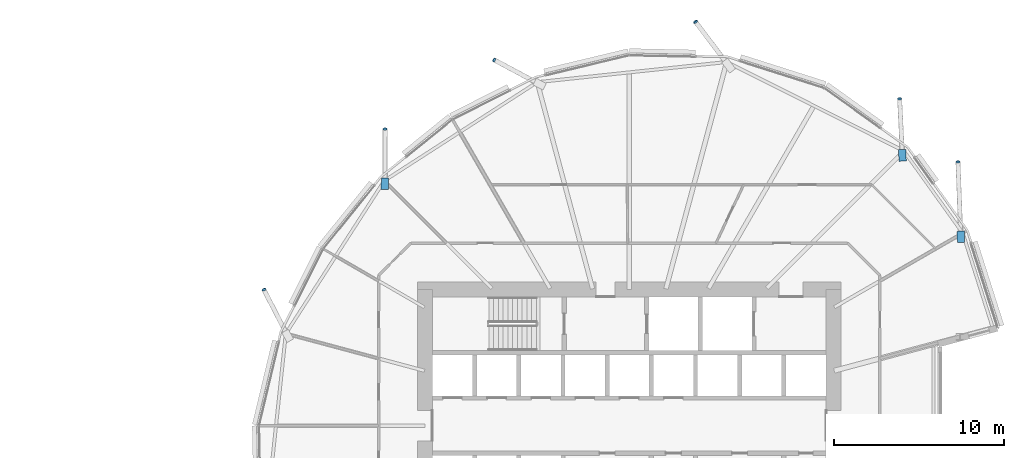
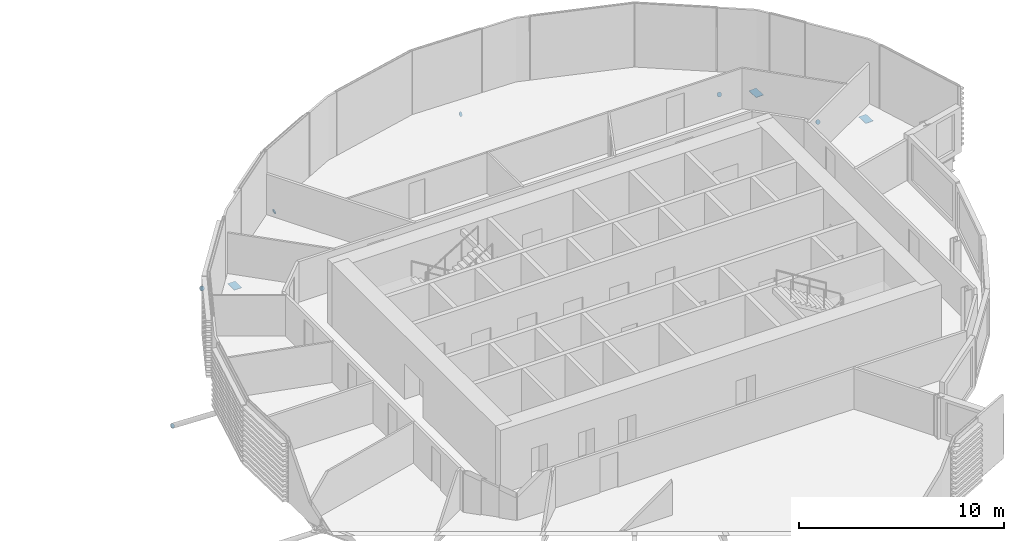
# One storey, part 32 of 37: 9 discrete accessories.
"""IFC4 building model written with IfcOpenShell, lengths in metres."""

from ifc_helpers import new_model, si_unit, direction, frame, origin, origin_2d, place, context, subcontext, project, spatial, polyline, rectangle, circle, outline, extrude, material, material_profile, profile_set, type_object, element, save


model = new_model("IFC4")

# Units and contexts
model_context = context("Model", 3, precision=1e-05, world=origin(), true_north=direction((0.0, 1.0)))
body_context = subcontext(model_context, "Body", "Model", "MODEL_VIEW")
ifc_project = project(units=[si_unit("LENGTHUNIT", "METRE"), si_unit("AREAUNIT", "SQUARE_METRE"), si_unit("VOLUMEUNIT", "CUBIC_METRE"), si_unit("PLANEANGLEUNIT", "RADIAN"), si_unit("MASSUNIT", "GRAM", prefix="KILO")], contexts=[model_context])

# Site, building, storey
site_placement = place(None, origin())
site = spatial("IfcSite", under=ifc_project, at=site_placement, CompositionType="ELEMENT")
building_placement = place(site_placement, origin())
building = spatial("IfcBuilding", under=site, at=building_placement, Name="Rimbun Link Towers", CompositionType="ELEMENT")
storey_placement = place(building_placement, frame((0.0, 0.0, 60.39990234375)))
storey = spatial("IfcBuildingStorey", under=building, at=storey_placement, Name="L14", CompositionType="ELEMENT", Elevation=60.39990234375)

# Discrete accessories
ifc_material_1 = material(Name="Steel S355J2H", Category="steel")
ifc_material_profile_1 = material_profile(ifc_material_1, circle(Radius=0.1240234375, at=origin_2d()), Name="PL D248")
ifc_profile_set_1 = profile_set([ifc_material_profile_1], Name="Steel S355J2H")
discrete_accessory_type_1 = type_object("IfcDiscreteAccessoryType", Name="Link foot sealing plate D248X20", PredefinedType="BRACKET", material=ifc_profile_set_1)
for number, where, z_axis, x_axis, name in (
    (1, (47.630615234375, 19.19287109375, -2.820556640625), (-0.03649321796, 0.85150841907, -0.523069457429), (-0.999082895818, -0.042817838392, 0.0), "Link foot sealing plate T2 L14 00"),
    (2, (35.646240234375, 23.718017578125, -2.54296875), (-0.537024813422, 0.720101454361, -0.439383938254), (-0.801627475093, -0.59782387973, 0.0), "Link foot sealing plate T2 L14 02"),
):
    element("IfcDiscreteAccessory", number, at=place(storey_placement, frame(where, z_axis=z_axis, x_axis=x_axis)), inside=storey, type_object=discrete_accessory_type_1, Name=name, PredefinedType="BRACKET", context=body_context, shape_type="SweptSolid", body=[
        extrude(circle(Radius=0.1240234375, at=origin_2d()), origin(), (0.0, 0.0, 1.0), 0.02001953125),
    ])
discrete_accessory_1_placement = place(storey_placement, frame((23.82421875, 21.478515625, -2.841064453125), z_axis=(-0.737837247603, 0.399157855261, -0.544306166264), x_axis=(-0.475818585601, -0.879543446111, 0.0)))
element("IfcDiscreteAccessory", 3, at=discrete_accessory_1_placement, inside=storey, type_object=discrete_accessory_type_1, Name="Link foot sealing plate T2 L14 04", PredefinedType="BRACKET", context=body_context, shape_type="SweptSolid", body=[
    extrude(circle(Radius=0.1240234375, at=origin_2d()), origin(), (0.0, 0.0, 1.0), 0.020263671875),
])
for number, where, z_axis, x_axis, name in (
    (4, (17.402099609375, 17.41552734375, -2.7294921875), (0.0, 0.837610596839, -0.546267780547), (-1.0, 0.0, 0.0), "Link foot sealing plate T2 L14 06"),
    (5, (10.28955078125, 7.980712890625, -2.7158203125), (-0.37598551486, 0.739842464724, -0.557913989792), (-0.891485185022, -0.453049848126, 0.0), "Link foot sealing plate T2 L14 08"),
    (6, (51.057373046875, 15.485595703125, -3.413818359375), (-0.024432065651, 0.842906264953, -0.537505444318), (-0.9995801847, -0.028973338687, 0.0), "Link foot sealing plate T2 L14 23"),
):
    element("IfcDiscreteAccessory", number, at=place(storey_placement, frame(where, z_axis=z_axis, x_axis=x_axis)), inside=storey, type_object=discrete_accessory_type_1, Name=name, PredefinedType="BRACKET", context=body_context, shape_type="SweptSolid", body=[
        extrude(circle(Radius=0.1240234375, at=origin_2d()), origin(), (0.0, 0.0, 1.0), 0.02001953125),
    ])
ifc_material_2 = material(Name="Steel S355J2H", Category="steel")
ifc_material_profile_2 = material_profile(ifc_material_2, rectangle(XDim=0.43310546875, YDim=0.43310546875, at=origin_2d()), Name="PL 433x433")
ifc_profile_set_2 = profile_set([ifc_material_profile_2], Name="Steel S355J2H")
discrete_accessory_type_2 = type_object("IfcDiscreteAccessoryType", Name="Link head end plate 433X20", PredefinedType="BRACKET", material=ifc_profile_set_2)
discrete_accessory_2_placement = place(storey_placement, frame((0.0, 0.0, -0.782470703125)))
element("IfcDiscreteAccessory", 7, at=discrete_accessory_2_placement, inside=storey, type_object=discrete_accessory_type_2, Name="Link head end plate T2 L14 00", PredefinedType="BRACKET", context=body_context, shape_type="SweptSolid", body=[
    extrude(outline(polyline([(48.025146484375, 15.547607421875), (47.991943359375, 16.228515625), (47.5595703125, 16.20751953125), (47.592529296875, 15.5263671875), (48.025146484375, 15.547607421875)])), origin(), (0.0, 0.0, 1.0), 0.02001953125),
])
discrete_accessory_3_placement = place(storey_placement, frame((0.0, 0.0, -0.63330078125)))
element("IfcDiscreteAccessory", 8, at=discrete_accessory_3_placement, inside=storey, type_object=discrete_accessory_type_2, Name="Link head end plate T2 L14 06", PredefinedType="BRACKET", context=body_context, shape_type="SweptSolid", body=[
    extrude(outline(polyline([(17.61328125, 13.878173828125), (17.6142578125, 14.537109375), (17.18115234375, 14.537841796875), (17.18017578125, 13.878662109375), (17.61328125, 13.878173828125)])), origin(), (0.0, 0.0, 1.0), 0.02001953125),
])
discrete_accessory_4_placement = place(storey_placement, frame((0.0, 0.0, -0.63330078125)))
element("IfcDiscreteAccessory", 9, at=discrete_accessory_4_placement, inside=storey, type_object=discrete_accessory_type_2, Name="Link head end plate T2 L14 23", PredefinedType="BRACKET", context=body_context, shape_type="SweptSolid", body=[
    extrude(outline(polyline([(51.453857421875, 10.76123046875), (51.42822265625, 11.431884765625), (50.99560546875, 11.415283203125), (51.02099609375, 10.744873046875), (51.453857421875, 10.76123046875)])), origin(), (0.0, 0.0, 1.0), 0.02001953125),
])

save(model, "model.ifc")
